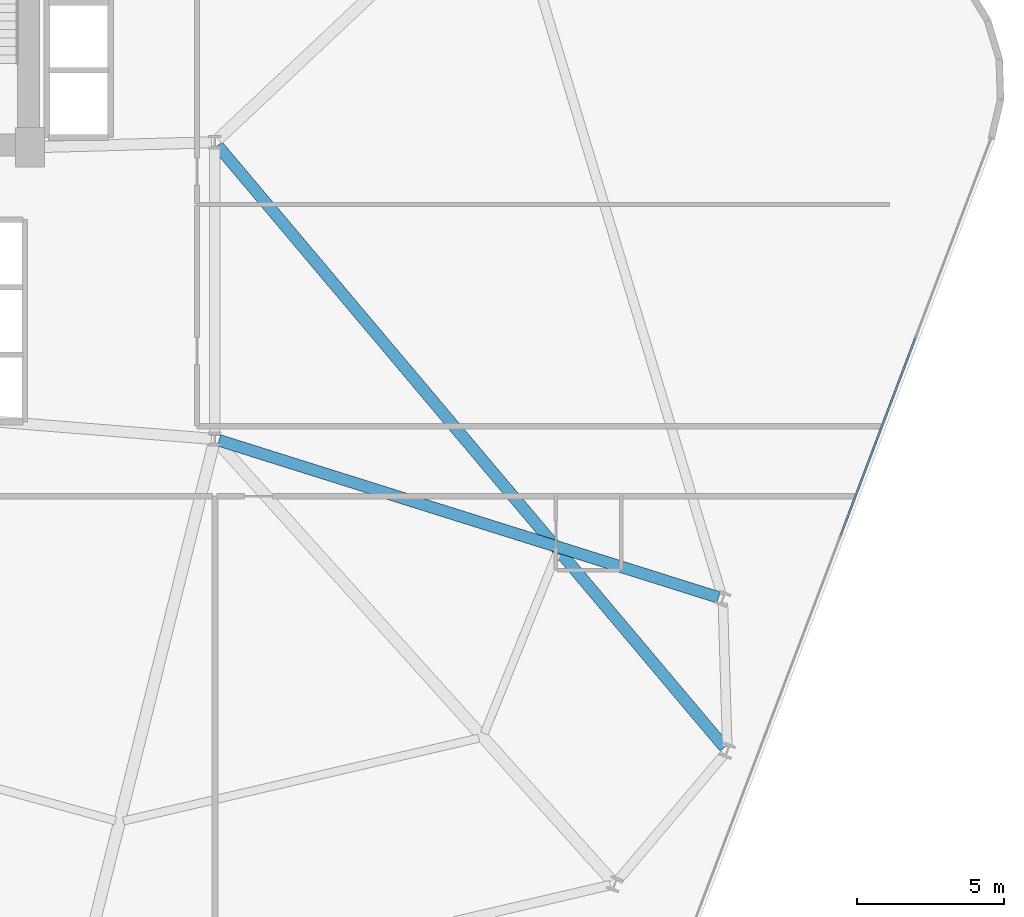
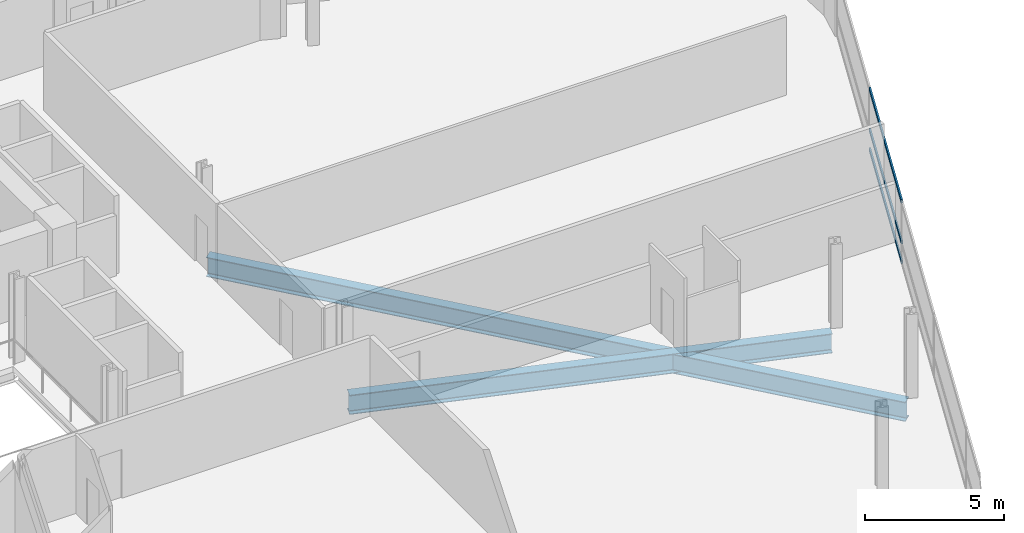
# One storey, part 12 of 24: 3 members, 2 beams, 1 element without a shape of its own.
"""IFC4 building model written with IfcOpenShell, lengths in metres."""

from ifc_helpers import new_model, si_unit, direction, frame, origin, origin_2d, place, context, subcontext, project, spatial, hollow_rectangle, i_section, extrude, material, layer, layer_set, material_profile, profile_set, type_object, element, aggregate, save


model = new_model("IFC4")

# Units and contexts
model_context = context("Model", 3, precision=1e-05, world=origin(), true_north=direction((0.0, 1.0)))
body_context = subcontext(model_context, "Body", "Model", "MODEL_VIEW")
ifc_project = project(units=[si_unit("LENGTHUNIT", "METRE"), si_unit("AREAUNIT", "SQUARE_METRE"), si_unit("VOLUMEUNIT", "CUBIC_METRE"), si_unit("PLANEANGLEUNIT", "RADIAN"), si_unit("MASSUNIT", "GRAM", prefix="KILO")], contexts=[model_context])

# Site, building, storey
site_placement = place(None, origin())
site = spatial("IfcSite", under=ifc_project, at=site_placement, CompositionType="ELEMENT")
building_placement = place(site_placement, origin())
building = spatial("IfcBuilding", under=site, at=building_placement, Name="Varnelok Gate Tower", CompositionType="ELEMENT")
storey_placement = place(building_placement, frame((0.0, 0.0, 102.10009765625)))
storey = spatial("IfcBuildingStorey", under=building, at=storey_placement, Name="L25", CompositionType="ELEMENT", Elevation=102.10009765625)

# Beams
ifc_material_1 = material(Name="Structural Steel ASTM A992 Grade 50", Category="steel")
ifc_material_profile_1 = material_profile(ifc_material_1, i_section(OverallWidth=0.39892578125, OverallDepth=0.85498046875, WebThickness=0.018310546875, FlangeThickness=0.029296875, FilletRadius=0.02392578125, at=origin_2d()), Name="W33X201")
ifc_profile_set_1 = profile_set([ifc_material_profile_1], Name="Structural Steel ASTM A992 Grade 50")
beam_type = type_object("IfcBeamType", Name="BM-PRI-W33X201", PredefinedType="BEAM", material=ifc_profile_set_1)
beam_1_placement = place(storey_placement, frame((54.0966796875, 28.805419921875, -0.677490234375), z_axis=(0.644241110533, -0.764822457502, 0.0), x_axis=(0.764822457502, 0.644241110533, 0.0)))
element("IfcBeam", 1, at=beam_1_placement, inside=storey, type_object=beam_type, Name="L25 Radial Floor Girder 7", PredefinedType="BEAM", context=body_context, shape_type="SweptSolid", body=[
    extrude(i_section(OverallWidth=0.39892578125, OverallDepth=0.85498046875, WebThickness=0.018310546875, FlangeThickness=0.029296875, FilletRadius=0.02392578125, at=origin_2d()), origin(), (0.0, 0.0, 1.0), 26.8271484375),
])
beam_2_placement = place(storey_placement, frame((54.14306640625, 18.7548828125, -0.677490234375), z_axis=(0.953948561039, -0.299970236678, 0.0), x_axis=(0.299970236678, 0.953948561039, 0.0)))
element("IfcBeam", 2, at=beam_2_placement, inside=storey, type_object=beam_type, Name="L25 Radial Floor Girder 8", PredefinedType="BEAM", context=body_context, shape_type="SweptSolid", body=[
    extrude(i_section(OverallWidth=0.39892578125, OverallDepth=0.85498046875, WebThickness=0.018310546875, FlangeThickness=0.029296875, FilletRadius=0.02392578125, at=origin_2d()), origin(), (0.0, 0.0, 1.0), 17.85498046875),
])

# Curtain wall, members
ifc_material_2 = material(Name="Anodized Aluminum Alloy 6063-T6", Category="aluminium")
ifc_layer = layer(ifc_material_2, 0.179931640625)
ifc_layer_set = layer_set([ifc_layer], Name="Anodized Aluminum Alloy 6063-T6")
curtain_wall_type = type_object("IfcCurtainWallType", Name="CW3-HOTEL-VISION", PredefinedType="USERDEFINED", material=ifc_layer_set)
curtain_wall_placement = place(storey_placement, origin())
curtain_wall = element("IfcCurtainWall", 3, at=curtain_wall_placement, inside=storey, type_object=curtain_wall_type, Name="L25 East End Vision Curtain Wall", ObjectType="UNITISED CURTAIN WALL", PredefinedType="USERDEFINED")
ifc_material_profile_2 = material_profile(ifc_material_2, hollow_rectangle(XDim=0.06494140625, YDim=0.159912109375, WallThickness=0.00390625, at=origin_2d()), Name="ALU160X65X4")
ifc_profile_set_2 = profile_set([ifc_material_profile_2], Name="Anodized Aluminum Alloy 6063-T6")
member_type = type_object("IfcMemberType", Name="CW-TRAN-160", PredefinedType="USERDEFINED", material=ifc_profile_set_2)
member_1_placement = place(storey_placement, frame((77.8798828125, 22.233642578125, 0.032470703125), z_axis=(-0.354048963644, -0.935226887628, 0.0), x_axis=(0.935226887628, -0.354048963644, 0.0)))
member_1 = element("IfcMember", 4, at=member_1_placement, type_object=member_type, Name="CW3 transom 2.1", ObjectType="TRANSOM", PredefinedType="USERDEFINED", context=body_context, shape_type="SweptSolid", body=[
    extrude(hollow_rectangle(XDim=0.06494140625, YDim=0.159912109375, WallThickness=0.00390625, at=origin_2d()), origin(), (0.0, 0.0, 1.0), 7.175048828125),
])
member_2_placement = place(storey_placement, frame((77.8798828125, 22.233642578125, 0.89990234375), z_axis=(-0.354048963644, -0.935226887628, 0.0), x_axis=(0.935226887628, -0.354048963644, 0.0)))
member_2 = element("IfcMember", 5, at=member_2_placement, type_object=member_type, Name="CW3 transom 2.2", ObjectType="TRANSOM", PredefinedType="USERDEFINED", context=body_context, shape_type="SweptSolid", body=[
    extrude(hollow_rectangle(XDim=0.06494140625, YDim=0.159912109375, WallThickness=0.00390625, at=origin_2d()), origin(), (0.0, 0.0, 1.0), 7.175048828125),
])
member_3_placement = place(storey_placement, frame((77.8798828125, 22.233642578125, 2.697509765625), z_axis=(-0.354048963644, -0.935226887628, 0.0), x_axis=(0.935226887628, -0.354048963644, 0.0)))
member_3 = element("IfcMember", 6, at=member_3_placement, type_object=member_type, Name="CW3 transom 2.3", ObjectType="TRANSOM", PredefinedType="USERDEFINED", context=body_context, shape_type="SweptSolid", body=[
    extrude(hollow_rectangle(XDim=0.06494140625, YDim=0.159912109375, WallThickness=0.00390625, at=origin_2d()), origin(), (0.0, 0.0, 1.0), 7.175048828125),
])
aggregate(curtain_wall, [member_1, member_2, member_3])

save(model, "model.ifc")
